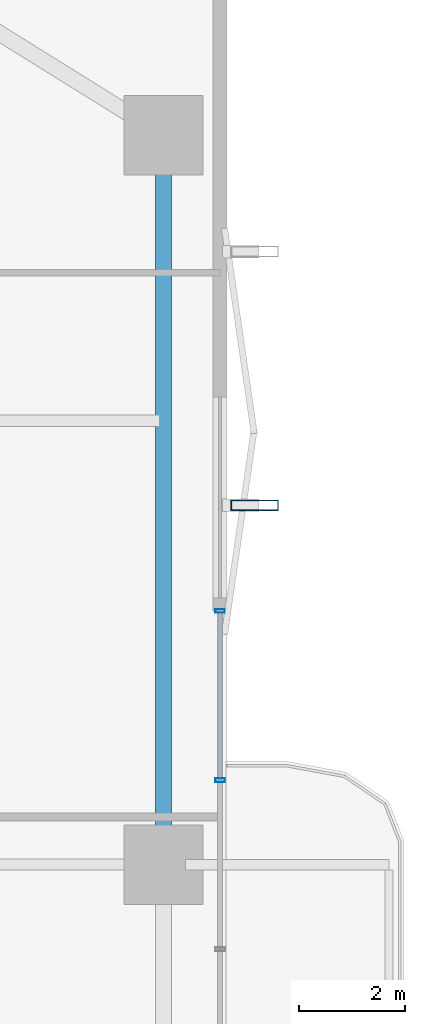
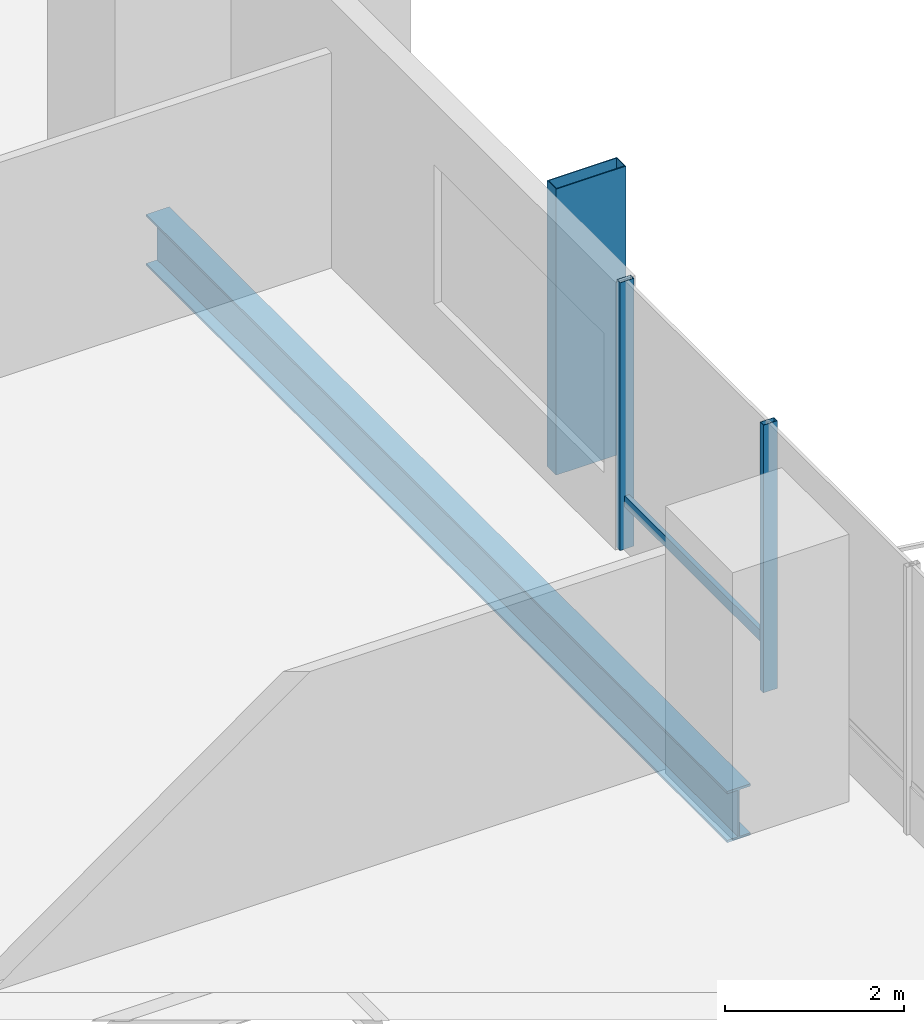
# One storey, part 13 of 23: 4 members, 1 beam, 1 element without a shape of its own.
"""IFC4 building model written with IfcOpenShell, lengths in metres."""

import ifcopenshell
import ifcopenshell.guid

model = None  # the IFC model being written
_history = None  # IfcOwnerHistory: only IFC2X3 demands one
_inside = {}  # id of a spatial element -> (the spatial element, [elements in it])
_under = {}  # id of a project, library or spatial element -> (it, [spatial elements below it])
_declared = {}  # id of a project -> (the project, [libraries it declares])
_typed = {}  # id of a type object -> (the type object, [elements of that type])
_made_of = {}  # id of a material, layer set ... -> (it, [elements and type objects made of it])


def new_model(schema):
    """Start an empty IFC model of exactly this schema.

    Asked for "IFC4X3", IfcOpenShell would pick the latest addendum, in which some entities
    have other attributes; the version numbers below select the first issue.
    IFC2X3 requires an IfcOwnerHistory on every rooted entity: one is made here for all.
    """
    global model, _history
    if schema == "IFC4X3":
        model = ifcopenshell.file(schema_version=(4, 3, 0, 0))
    else:
        model = ifcopenshell.file(schema=schema)
    _inside.clear()
    _under.clear()
    _declared.clear()
    _typed.clear()
    _made_of.clear()
    _history = None
    if model.schema == "IFC2X3":
        org = make("IfcOrganization", Name="unknown")
        user = make(
            "IfcPersonAndOrganization",
            ThePerson=make("IfcPerson", FamilyName="unknown"),
            TheOrganization=org,
        )
        app = make(
            "IfcApplication",
            ApplicationDeveloper=org,
            Version="unknown",
            ApplicationFullName="unknown",
            ApplicationIdentifier="unknown",
        )
        _history = make(
            "IfcOwnerHistory",
            OwningUser=user,
            OwningApplication=app,
            ChangeAction="ADDED",
            CreationDate=0,
        )
    return model


def make(cls, **values):
    """One entity of the class cls with the attributes given. An attribute that is None is left unset."""
    return model.create_entity(
        cls, **{name: value for name, value in values.items() if value is not None}
    )


def rooted(cls, **values):
    """An entity with a GlobalId (a new one), such as an element, a storey or a relation."""
    return make(cls, GlobalId=ifcopenshell.guid.new(), OwnerHistory=_history, **values)


def si_unit(unit_type, name, prefix=None):
    """IfcSIUnit, for example si_unit("LENGTHUNIT", "METRE", prefix="MILLI")."""
    return make("IfcSIUnit", UnitType=unit_type, Prefix=prefix, Name=name)


def assignment(units):
    """IfcUnitAssignment: the units of a project."""
    return None if units is None else make("IfcUnitAssignment", Units=units)


def point(xyz):
    """IfcCartesianPoint."""
    return None if xyz is None else make("IfcCartesianPoint", Coordinates=xyz)


def direction(xyz):
    """IfcDirection."""
    return None if xyz is None else make("IfcDirection", DirectionRatios=xyz)


def frame(location, z_axis=None, x_axis=None):
    """IfcAxis2Placement3D, a coordinate frame: its origin and axes. An axis left out is left unset."""
    return make(
        "IfcAxis2Placement3D",
        Location=point(location),
        Axis=direction(z_axis),
        RefDirection=direction(x_axis),
    )


def frame_2d(location, x_axis=None):
    """IfcAxis2Placement2D, a coordinate frame in the plane: its origin and x axis."""
    return make(
        "IfcAxis2Placement2D", Location=point(location), RefDirection=direction(x_axis)
    )


def origin():
    """The frame at (0, 0, 0) with its axes left unset."""
    return frame((0.0, 0.0, 0.0))


def origin_2d():
    """The frame at (0, 0) in the plane with its x axis left unset."""
    return frame_2d((0.0, 0.0))


def place(relative_to, where):
    """IfcLocalPlacement: puts the frame where relative to a parent placement (None: the world)."""
    return make(
        "IfcLocalPlacement", PlacementRelTo=relative_to, RelativePlacement=where
    )


def context(
    kind, dimensions, precision=None, world=None, true_north=None, identifier=None
):
    """IfcGeometricRepresentationContext, for example the 3D "Model" context."""
    return make(
        "IfcGeometricRepresentationContext",
        ContextIdentifier=identifier,
        ContextType=kind,
        CoordinateSpaceDimension=dimensions,
        Precision=precision,
        WorldCoordinateSystem=world,
        TrueNorth=true_north,
    )


def subcontext(parent, identifier, kind, view, scale=None):
    """IfcGeometricRepresentationSubContext, for example "Body" below "Model"."""
    return make(
        "IfcGeometricRepresentationSubContext",
        ContextIdentifier=identifier,
        ContextType=kind,
        ParentContext=parent,
        TargetScale=scale,
        TargetView=view,
    )


def project(units=None, contexts=None):
    """IfcProject with its units and contexts."""
    return rooted(
        "IfcProject",
        Name="project",
        RepresentationContexts=contexts,
        UnitsInContext=assignment(units),
    )


def spatial(cls, under=None, at=None, **own):
    """A site, building, storey or space (cls), placed at a placement, below another one or the project."""
    s = rooted(cls, ObjectPlacement=at, **own)
    if under is not None:
        _under.setdefault(under.id(), (under, []))[1].append(s)
    return s


def profile(cls, at=None, kind="AREA", **sizes):
    """A parametric profile (cls). Its sizes go by their IFC names, for example OverallWidth=200.0."""
    return make(cls, ProfileType=kind, Position=at, **sizes)


def hollow_rectangle(**sizes):
    """IfcRectangleHollowProfileDef."""
    return profile("IfcRectangleHollowProfileDef", **sizes)


def i_section(**sizes):
    """IfcIShapeProfileDef."""
    return profile("IfcIShapeProfileDef", **sizes)


def extrude(swept, where, along, depth):
    """IfcExtrudedAreaSolid: the profile swept, set in the frame where, extruded along a direction by depth."""
    return make(
        "IfcExtrudedAreaSolid",
        SweptArea=swept,
        Position=where,
        ExtrudedDirection=direction(along),
        Depth=depth,
    )


def shape(context_of_items, identifier, shape_type, items):
    """IfcShapeRepresentation: the items that make up one representation, for example the "Body"."""
    return make(
        "IfcShapeRepresentation",
        ContextOfItems=context_of_items,
        RepresentationIdentifier=identifier,
        RepresentationType=shape_type,
        Items=items,
    )


def material(Name=None, Category=None):
    """IfcMaterial."""
    return make("IfcMaterial", Name=Name, Category=Category)


def layer(
    of_material, thickness, ventilated=None, Name=None, Category=None, Priority=None
):
    """IfcMaterialLayer: one layer of a wall or slab, of a material (None: an air gap)."""
    return make(
        "IfcMaterialLayer",
        Material=of_material,
        LayerThickness=thickness,
        IsVentilated=ventilated,
        Name=Name,
        Category=Category,
        Priority=Priority,
    )


def layer_set(layers, Name=None):
    """IfcMaterialLayerSet."""
    return make("IfcMaterialLayerSet", MaterialLayers=layers, LayerSetName=Name)


def material_profile(
    of_material, cross_section, Name=None, Category=None, Priority=None
):
    """IfcMaterialProfile: a cross section and its material."""
    return make(
        "IfcMaterialProfile",
        Name=Name,
        Material=of_material,
        Profile=cross_section,
        Priority=Priority,
        Category=Category,
    )


def profile_set(profiles, Name=None, composite=None):
    """IfcMaterialProfileSet."""
    return make(
        "IfcMaterialProfileSet",
        Name=Name,
        MaterialProfiles=profiles,
        CompositeProfile=composite,
    )


def made_of(thing, what):
    """Note that an element or type object is made of a material, layer set ...; save() writes the relation."""
    if what is not None:
        _made_of.setdefault(what.id(), (what, []))[1].append(thing)
    return thing


def type_object(cls, material=None, **own):
    """A type object (cls), such as IfcWallType, which elements share."""
    return made_of(rooted(cls, **own), material)


def element(
    cls,
    number,
    at=None,
    inside=None,
    cuts=None,
    type_object=None,
    material=None,
    context=None,
    identifier="Body",
    shape_type=None,
    held_by="IfcProductDefinitionShape",
    body=None,
    shapes=None,
    **own,
):
    """One element of the class cls, such as IfcWall. Its Tag is "e" and its number.

    at: its placement. inside: the storey or other place that contains it. cuts: it is an
    opening in that element (IfcRelVoidsElement). A single representation is given by context,
    identifier, shape_type and body (its items); several are given by shapes. held_by: the class
    of the entity that holds the representations. save() writes the other relations.
    """
    e = rooted(cls, Tag="e%d" % number, ObjectPlacement=at, **own)
    if body is not None:
        shapes = [shape(context, identifier, shape_type, body)]
    if shapes is not None:
        e.Representation = make(held_by, Representations=shapes)
    if inside is not None:
        _inside.setdefault(inside.id(), (inside, []))[1].append(e)
    if cuts is not None:
        rooted(
            "IfcRelVoidsElement", RelatingBuildingElement=cuts, RelatedOpeningElement=e
        )
    if type_object is not None:
        _typed.setdefault(type_object.id(), (type_object, []))[1].append(e)
    return made_of(e, material)


def aggregate(whole, parts):
    """IfcRelAggregates: a whole, such as a stair, and the parts it consists of."""
    return rooted("IfcRelAggregates", RelatingObject=whole, RelatedObjects=parts)


def save(model, path):
    """Write the relations noted so far, then the file.

    IfcRelAggregates (storeys below a building ...), IfcRelContainedInSpatialStructure (elements
    in a storey), IfcRelDefinesByType, IfcRelAssociatesMaterial and IfcRelDeclares: one each for
    every whole, place, type object, material and project.
    """
    for whole, parts in _under.values():
        aggregate(whole, parts)
    for where, things in _inside.values():
        rooted(
            "IfcRelContainedInSpatialStructure",
            RelatedElements=things,
            RelatingStructure=where,
        )
    for kind, things in _typed.values():
        rooted("IfcRelDefinesByType", RelatedObjects=things, RelatingType=kind)
    for what, things in _made_of.values():
        rooted("IfcRelAssociatesMaterial", RelatedObjects=things, RelatingMaterial=what)
    for by, libraries in _declared.values():
        rooted("IfcRelDeclares", RelatingContext=by, RelatedDefinitions=libraries)
    model.write(path)


model = new_model("IFC4")

# Units and contexts
model_context = context("Model", 3, precision=1e-05, world=origin(), true_north=direction((0.0, 1.0)))
body_context = subcontext(model_context, "Body", "Model", "MODEL_VIEW")
ifc_project = project(units=[si_unit("LENGTHUNIT", "METRE"), si_unit("AREAUNIT", "SQUARE_METRE"), si_unit("VOLUMEUNIT", "CUBIC_METRE"), si_unit("PLANEANGLEUNIT", "RADIAN"), si_unit("MASSUNIT", "GRAM", prefix="KILO")], contexts=[model_context])

# Site, building, storey
site_placement = place(None, origin())
site = spatial("IfcSite", under=ifc_project, at=site_placement, CompositionType="ELEMENT")
building_placement = place(site_placement, origin())
building = spatial("IfcBuilding", under=site, at=building_placement, Name="Belovzor Exchange Tower", CompositionType="ELEMENT")
storey_placement = place(building_placement, frame((0.0, 0.0, 100.199951171875)))
storey = spatial("IfcBuildingStorey", under=building, at=storey_placement, Name="L24", CompositionType="ELEMENT", Elevation=100.199951171875)

# Member
ifc_material_1 = material(Name="Extruded Architectural Terracotta on Steel S355 Carrier", Category="masonry")
ifc_material_profile_1 = material_profile(ifc_material_1, hollow_rectangle(XDim=0.199951171875, YDim=0.89990234375, WallThickness=0.011962890625, at=origin_2d()))
ifc_profile_set_1 = profile_set([ifc_material_profile_1], Name="Extruded Architectural Terracotta on Steel S355 Carrier")
member_type_1 = type_object("IfcMemberType", Name="Sweeping Terracotta Baguette Fin Assembly 1250", PredefinedType="USERDEFINED", material=ifc_profile_set_1)
member_1_placement = place(storey_placement, frame((57.22509765625, 35.60009765625, -0.25), z_axis=(0.0, 0.0, 1.0), x_axis=(0.0, 1.0, 0.0)))
element("IfcMember", 1, at=member_1_placement, inside=storey, type_object=member_type_1, Name="FIN-TC125 Terracotta Facade Fin L24 E3", ObjectType="FIN", PredefinedType="USERDEFINED", context=body_context, shape_type="SweptSolid", body=[
    extrude(hollow_rectangle(XDim=0.199951171875, YDim=0.89990234375, WallThickness=0.011962890625, at=origin_2d()), origin(), (0.0, 0.0, 1.0), 3.900146484375),
])

# Curtain wall, members
ifc_material_2 = material(Name="Anodised Aluminium Framing", Category="aluminium")
ifc_layer = layer(ifc_material_2, 0.179931640625)
ifc_layer_set = layer_set([ifc_layer], Name="Anodised Aluminium Framing")
curtain_wall_type = type_object("IfcCurtainWallType", Name="Recessed Loggia Low-Iron Triple-Glazed Curtain Wall", PredefinedType="NOTDEFINED", material=ifc_layer_set)
curtain_wall_placement = place(storey_placement, origin())
curtain_wall = element("IfcCurtainWall", 2, at=curtain_wall_placement, inside=storey, type_object=curtain_wall_type, Name="CW3 Recessed Loggia Low-Iron Triple-Glazed Curtain Wall L24", PredefinedType="NOTDEFINED")
ifc_material_3 = material(Name="Steel S355", Category="steel")
ifc_material_profile_2 = material_profile(ifc_material_3, hollow_rectangle(XDim=0.074951171875, YDim=0.179931640625, WallThickness=0.0048828125, at=origin_2d()))
ifc_profile_set_2 = profile_set([ifc_material_profile_2], Name="Steel S355")
member_type_2 = type_object("IfcMemberType", Name="Thermally Broken Curtain Wall Mullion 180x75", PredefinedType="MULLION", material=ifc_profile_set_2)
member_2_placement = place(storey_placement, frame((56.570068359375, 33.60009765625, 0.0), z_axis=(0.0, 0.0, 1.0), x_axis=(0.0, -1.0, 0.0)))
member_2 = element("IfcMember", 3, at=member_2_placement, type_object=member_type_2, Name="CW-M180 Curtain Wall Mullion 1", PredefinedType="MULLION", context=body_context, shape_type="SweptSolid", body=[
    extrude(hollow_rectangle(XDim=0.074951171875, YDim=0.179931640625, WallThickness=0.0048828125, at=origin_2d()), origin(), (0.0, 0.0, 1.0), 3.650146484375),
])
member_3_placement = place(storey_placement, frame((56.570068359375, 30.39990234375, 0.0), z_axis=(0.0, 0.0, 1.0), x_axis=(0.0, -1.0, 0.0)))
member_3 = element("IfcMember", 4, at=member_3_placement, type_object=member_type_2, Name="CW-M180 Curtain Wall Mullion 2", PredefinedType="MULLION", context=body_context, shape_type="SweptSolid", body=[
    extrude(hollow_rectangle(XDim=0.074951171875, YDim=0.179931640625, WallThickness=0.0048828125, at=origin_2d()), origin(), (0.0, 0.0, 1.0), 3.650146484375),
])
ifc_material_4 = material(Name="Steel S355", Category="steel")
ifc_material_profile_3 = material_profile(ifc_material_4, hollow_rectangle(XDim=0.06005859375, YDim=0.14990234375, WallThickness=0.00390625, at=origin_2d()))
ifc_profile_set_3 = profile_set([ifc_material_profile_3], Name="Steel S355")
member_type_3 = type_object("IfcMemberType", Name="Thermally Broken Curtain Wall Transom 150x60", PredefinedType="USERDEFINED", material=ifc_profile_set_3)
member_4_placement = place(storey_placement, frame((56.570068359375, 33.592041015625, 0.650146484375), z_axis=(0.0, -1.0, 0.0), x_axis=(1.0, 0.0, 0.0)))
member_4 = element("IfcMember", 5, at=member_4_placement, type_object=member_type_3, Name="CW-T150 Curtain Wall Transom 1", ObjectType="TRANSOM", PredefinedType="USERDEFINED", context=body_context, shape_type="SweptSolid", body=[
    extrude(hollow_rectangle(XDim=0.06005859375, YDim=0.14990234375, WallThickness=0.00390625, at=origin_2d()), origin(), (0.0, 0.0, 1.0), 3.18408203125),
])
aggregate(curtain_wall, [member_2, member_3, member_4])

# Beam
ifc_material_5 = material(Name="Steel S355", Category="steel")
ifc_material_profile_4 = material_profile(ifc_material_5, i_section(OverallWidth=0.300048828125, OverallDepth=0.699951171875, WebThickness=0.01708984375, FlangeThickness=0.031982421875, at=origin_2d()))
ifc_profile_set_4 = profile_set([ifc_material_profile_4], Name="Steel S355")
beam_type = type_object("IfcBeamType", Name="Zone 1 Primary Perimeter Girder HEB 700", PredefinedType="BEAM", material=ifc_profile_set_4)
beam_placement = place(storey_placement, frame((55.5, 29.212890625, -0.599853515625), z_axis=(0.0, 1.0, 0.0), x_axis=(-1.0, 0.0, 0.0)))
element("IfcBeam", 6, at=beam_placement, inside=storey, type_object=beam_type, Name="FG-Z1 Zone 1 Primary Perimeter Girder HEB 700", PredefinedType="BEAM", context=body_context, shape_type="SweptSolid", body=[
    extrude(i_section(OverallWidth=0.300048828125, OverallDepth=0.699951171875, WebThickness=0.01708984375, FlangeThickness=0.031982421875, at=origin_2d()), origin(), (0.0, 0.0, 1.0), 12.97509765625),
])

save(model, "model.ifc")
